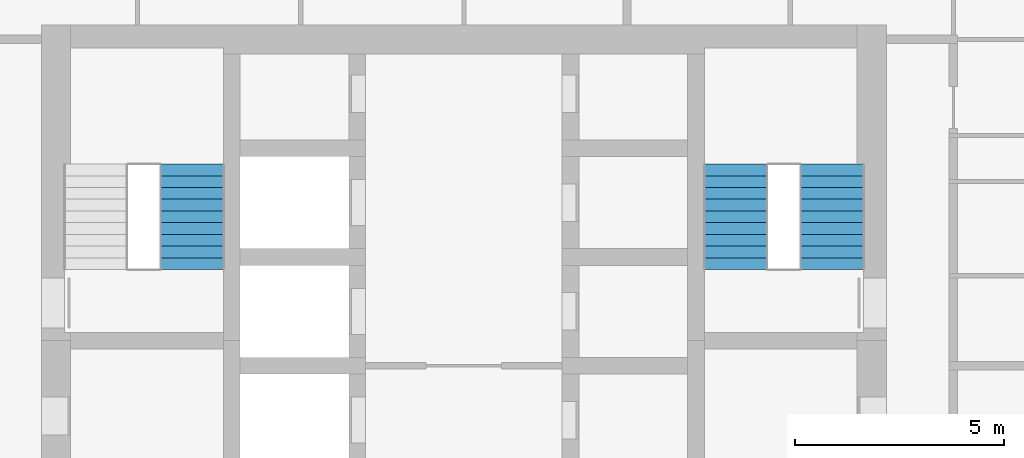
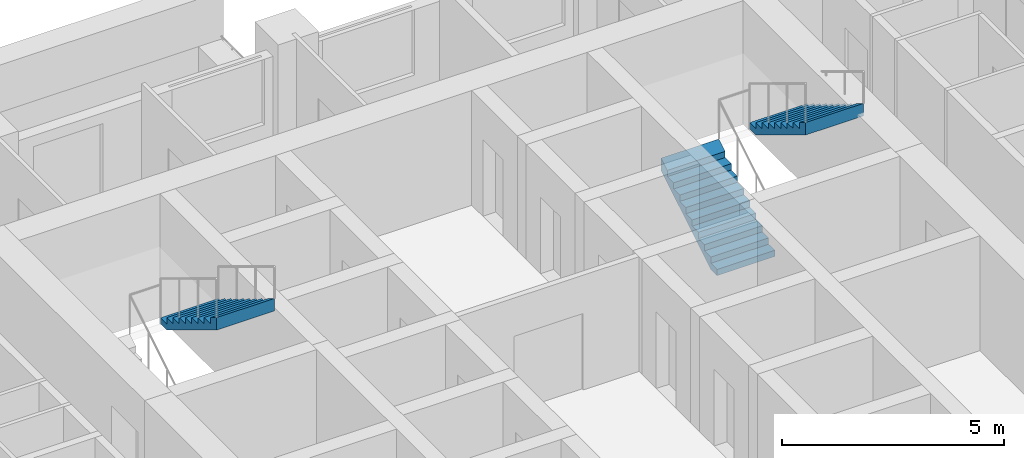
# One storey, part 15 of 17: 3 stair flights, 2 elements without a shape of their own.
"""IFC4 building model written with IfcOpenShell, lengths in metres."""

import ifcopenshell
import ifcopenshell.guid

model = None  # the IFC model being written
_history = None  # IfcOwnerHistory: only IFC2X3 demands one
_inside = {}  # id of a spatial element -> (the spatial element, [elements in it])
_under = {}  # id of a project, library or spatial element -> (it, [spatial elements below it])
_declared = {}  # id of a project -> (the project, [libraries it declares])
_typed = {}  # id of a type object -> (the type object, [elements of that type])
_made_of = {}  # id of a material, layer set ... -> (it, [elements and type objects made of it])


def new_model(schema):
    """Start an empty IFC model of exactly this schema.

    Asked for "IFC4X3", IfcOpenShell would pick the latest addendum, in which some entities
    have other attributes; the version numbers below select the first issue.
    IFC2X3 requires an IfcOwnerHistory on every rooted entity: one is made here for all.
    """
    global model, _history
    if schema == "IFC4X3":
        model = ifcopenshell.file(schema_version=(4, 3, 0, 0))
    else:
        model = ifcopenshell.file(schema=schema)
    _inside.clear()
    _under.clear()
    _declared.clear()
    _typed.clear()
    _made_of.clear()
    _history = None
    if model.schema == "IFC2X3":
        org = make("IfcOrganization", Name="unknown")
        user = make(
            "IfcPersonAndOrganization",
            ThePerson=make("IfcPerson", FamilyName="unknown"),
            TheOrganization=org,
        )
        app = make(
            "IfcApplication",
            ApplicationDeveloper=org,
            Version="unknown",
            ApplicationFullName="unknown",
            ApplicationIdentifier="unknown",
        )
        _history = make(
            "IfcOwnerHistory",
            OwningUser=user,
            OwningApplication=app,
            ChangeAction="ADDED",
            CreationDate=0,
        )
    return model


def make(cls, **values):
    """One entity of the class cls with the attributes given. An attribute that is None is left unset."""
    return model.create_entity(
        cls, **{name: value for name, value in values.items() if value is not None}
    )


def rooted(cls, **values):
    """An entity with a GlobalId (a new one), such as an element, a storey or a relation."""
    return make(cls, GlobalId=ifcopenshell.guid.new(), OwnerHistory=_history, **values)


def si_unit(unit_type, name, prefix=None):
    """IfcSIUnit, for example si_unit("LENGTHUNIT", "METRE", prefix="MILLI")."""
    return make("IfcSIUnit", UnitType=unit_type, Prefix=prefix, Name=name)


def assignment(units):
    """IfcUnitAssignment: the units of a project."""
    return None if units is None else make("IfcUnitAssignment", Units=units)


def point(xyz):
    """IfcCartesianPoint."""
    return None if xyz is None else make("IfcCartesianPoint", Coordinates=xyz)


def direction(xyz):
    """IfcDirection."""
    return None if xyz is None else make("IfcDirection", DirectionRatios=xyz)


def frame(location, z_axis=None, x_axis=None):
    """IfcAxis2Placement3D, a coordinate frame: its origin and axes. An axis left out is left unset."""
    return make(
        "IfcAxis2Placement3D",
        Location=point(location),
        Axis=direction(z_axis),
        RefDirection=direction(x_axis),
    )


def origin():
    """The frame at (0, 0, 0) with its axes left unset."""
    return frame((0.0, 0.0, 0.0))


def place(relative_to, where):
    """IfcLocalPlacement: puts the frame where relative to a parent placement (None: the world)."""
    return make(
        "IfcLocalPlacement", PlacementRelTo=relative_to, RelativePlacement=where
    )


def context(
    kind, dimensions, precision=None, world=None, true_north=None, identifier=None
):
    """IfcGeometricRepresentationContext, for example the 3D "Model" context."""
    return make(
        "IfcGeometricRepresentationContext",
        ContextIdentifier=identifier,
        ContextType=kind,
        CoordinateSpaceDimension=dimensions,
        Precision=precision,
        WorldCoordinateSystem=world,
        TrueNorth=true_north,
    )


def subcontext(parent, identifier, kind, view, scale=None):
    """IfcGeometricRepresentationSubContext, for example "Body" below "Model"."""
    return make(
        "IfcGeometricRepresentationSubContext",
        ContextIdentifier=identifier,
        ContextType=kind,
        ParentContext=parent,
        TargetScale=scale,
        TargetView=view,
    )


def project(units=None, contexts=None):
    """IfcProject with its units and contexts."""
    return rooted(
        "IfcProject",
        Name="project",
        RepresentationContexts=contexts,
        UnitsInContext=assignment(units),
    )


def spatial(cls, under=None, at=None, **own):
    """A site, building, storey or space (cls), placed at a placement, below another one or the project."""
    s = rooted(cls, ObjectPlacement=at, **own)
    if under is not None:
        _under.setdefault(under.id(), (under, []))[1].append(s)
    return s


def point_list(points):
    """IfcCartesianPointList2D or 3D."""
    cls = (
        "IfcCartesianPointList2D" if len(points[0]) == 2 else "IfcCartesianPointList3D"
    )
    return make(cls, CoordList=points)


def triangles(points, corners, closed=None, point_numbers=None):
    """IfcTriangulatedFaceSet: each triangle names its three corners, points numbered from 1."""
    return make(
        "IfcTriangulatedFaceSet",
        Coordinates=point_list(points),
        Closed=closed,
        CoordIndex=corners,
        PnIndex=point_numbers,
    )


def shape(context_of_items, identifier, shape_type, items):
    """IfcShapeRepresentation: the items that make up one representation, for example the "Body"."""
    return make(
        "IfcShapeRepresentation",
        ContextOfItems=context_of_items,
        RepresentationIdentifier=identifier,
        RepresentationType=shape_type,
        Items=items,
    )


def material(Name=None, Category=None):
    """IfcMaterial."""
    return make("IfcMaterial", Name=Name, Category=Category)


def made_of(thing, what):
    """Note that an element or type object is made of a material, layer set ...; save() writes the relation."""
    if what is not None:
        _made_of.setdefault(what.id(), (what, []))[1].append(thing)
    return thing


def type_object(cls, material=None, **own):
    """A type object (cls), such as IfcWallType, which elements share."""
    return made_of(rooted(cls, **own), material)


def element(
    cls,
    number,
    at=None,
    inside=None,
    cuts=None,
    type_object=None,
    material=None,
    context=None,
    identifier="Body",
    shape_type=None,
    held_by="IfcProductDefinitionShape",
    body=None,
    shapes=None,
    **own,
):
    """One element of the class cls, such as IfcWall. Its Tag is "e" and its number.

    at: its placement. inside: the storey or other place that contains it. cuts: it is an
    opening in that element (IfcRelVoidsElement). A single representation is given by context,
    identifier, shape_type and body (its items); several are given by shapes. held_by: the class
    of the entity that holds the representations. save() writes the other relations.
    """
    e = rooted(cls, Tag="e%d" % number, ObjectPlacement=at, **own)
    if body is not None:
        shapes = [shape(context, identifier, shape_type, body)]
    if shapes is not None:
        e.Representation = make(held_by, Representations=shapes)
    if inside is not None:
        _inside.setdefault(inside.id(), (inside, []))[1].append(e)
    if cuts is not None:
        rooted(
            "IfcRelVoidsElement", RelatingBuildingElement=cuts, RelatedOpeningElement=e
        )
    if type_object is not None:
        _typed.setdefault(type_object.id(), (type_object, []))[1].append(e)
    return made_of(e, material)


def aggregate(whole, parts):
    """IfcRelAggregates: a whole, such as a stair, and the parts it consists of."""
    return rooted("IfcRelAggregates", RelatingObject=whole, RelatedObjects=parts)


def save(model, path):
    """Write the relations noted so far, then the file.

    IfcRelAggregates (storeys below a building ...), IfcRelContainedInSpatialStructure (elements
    in a storey), IfcRelDefinesByType, IfcRelAssociatesMaterial and IfcRelDeclares: one each for
    every whole, place, type object, material and project.
    """
    for whole, parts in _under.values():
        aggregate(whole, parts)
    for where, things in _inside.values():
        rooted(
            "IfcRelContainedInSpatialStructure",
            RelatedElements=things,
            RelatingStructure=where,
        )
    for kind, things in _typed.values():
        rooted("IfcRelDefinesByType", RelatedObjects=things, RelatingType=kind)
    for what, things in _made_of.values():
        rooted("IfcRelAssociatesMaterial", RelatedObjects=things, RelatingMaterial=what)
    for by, libraries in _declared.values():
        rooted("IfcRelDeclares", RelatingContext=by, RelatedDefinitions=libraries)
    model.write(path)


model = new_model("IFC4")

# Units and contexts
model_context = context("Model", 3, precision=1e-05, world=origin(), true_north=direction((0.0, 1.0)))
body_context = subcontext(model_context, "Body", "Model", "MODEL_VIEW")
ifc_project = project(units=[si_unit("LENGTHUNIT", "METRE"), si_unit("AREAUNIT", "SQUARE_METRE"), si_unit("VOLUMEUNIT", "CUBIC_METRE"), si_unit("PLANEANGLEUNIT", "RADIAN"), si_unit("MASSUNIT", "GRAM", prefix="KILO")], contexts=[model_context])

# Site, building, storey
site_placement = place(None, origin())
site = spatial("IfcSite", under=ifc_project, at=site_placement, CompositionType="ELEMENT")
building_placement = place(site_placement, origin())
building = spatial("IfcBuilding", under=site, at=building_placement, Name="Ludao Terraces", CompositionType="ELEMENT")
storey_placement = place(building_placement, frame((0.0, 0.0, 19.5)))
storey = spatial("IfcBuildingStorey", under=building, at=storey_placement, Name="L04", CompositionType="ELEMENT", Elevation=19.5)

# Stair, stair flight
ifc_material = material(Name="Concrete C40", Category="concrete")
stair_type = type_object("IfcStairType", Name="INT Stair", PredefinedType="HALF_TURN_STAIR", material=ifc_material)
stair_1_placement = place(storey_placement, origin())
stair_1 = element("IfcStair", 1, at=stair_1_placement, inside=storey, type_object=stair_type, Name="EXIT STAIR 1", PredefinedType="HALF_TURN_STAIR")
stair_flight_type = type_object("IfcStairFlightType", Name="INT Stair flight", PredefinedType="STRAIGHT", material=ifc_material)
stair_flight_1_placement = place(storey_placement, frame((78.5, 81.52001953125, 1.699951171875), z_axis=(0.0, 0.0, 1.0), x_axis=(0.0, -1.0, 0.0)))
stair_flight_1 = element("IfcStairFlight", 2, at=stair_flight_1_placement, type_object=stair_flight_type, Name="ST1 flight 2", NumberOfRisers=10, NumberOfTreads=9, PredefinedType="STRAIGHT", RiserHeight=0.17, TreadLength=0.28, context=body_context, shape_type="Tessellation", body=[
    triangles([(0.0, -0.75, 0.0), (0.0, -0.5, 0.0), (0.0, -0.25, 0.0), (0.0, 0.0, 0.0), (0.0, 0.25, 0.0), (0.0, 0.5, 0.0), (0.0, 0.75, 0.0), (0.0, -0.75, 0.169921875), (0.0, -0.5, 0.169921875), (0.0, -0.25, 0.169921875), (0.0, 0.0, 0.169921875), (0.0, 0.25, 0.169921875), (0.0, 0.5, 0.169921875), (0.0, 0.75, 0.169921875), (0.280029296875, -0.75, 0.169921875), (0.280029296875, -0.5, 0.169921875), (0.280029296875, -0.25, 0.169921875), (0.280029296875, 0.0, 0.169921875), (0.280029296875, 0.25, 0.169921875), (0.280029296875, 0.5, 0.169921875), (0.280029296875, 0.75, 0.169921875), (0.280029296875, -0.75, 0.340087890625), (0.280029296875, -0.5, 0.340087890625), (0.280029296875, -0.25, 0.340087890625), (0.280029296875, 0.0, 0.340087890625), (0.280029296875, 0.25, 0.340087890625), (0.280029296875, 0.5, 0.340087890625), (0.280029296875, 0.75, 0.340087890625), (0.56005859375, -0.75, 0.340087890625), (0.56005859375, -0.5, 0.340087890625), (0.56005859375, -0.25, 0.340087890625), (0.56005859375, 0.0, 0.340087890625), (0.56005859375, 0.25, 0.340087890625), (0.56005859375, 0.5, 0.340087890625), (0.56005859375, 0.75, 0.340087890625), (0.56005859375, -0.75, 0.510009765625), (0.56005859375, -0.5, 0.510009765625), (0.56005859375, -0.25, 0.510009765625), (0.56005859375, 0.0, 0.510009765625), (0.56005859375, 0.25, 0.510009765625), (0.56005859375, 0.5, 0.510009765625), (0.56005859375, 0.75, 0.510009765625), (0.840087890625, -0.75, 0.510009765625), (0.840087890625, -0.5, 0.510009765625), (0.840087890625, -0.25, 0.510009765625), (0.840087890625, 0.0, 0.510009765625), (0.840087890625, 0.25, 0.510009765625), (0.840087890625, 0.5, 0.510009765625), (0.840087890625, 0.75, 0.510009765625), (0.840087890625, -0.75, 0.679931640625), (0.840087890625, -0.5, 0.679931640625), (0.840087890625, -0.25, 0.679931640625), (0.840087890625, 0.0, 0.679931640625), (0.840087890625, 0.25, 0.679931640625), (0.840087890625, 0.5, 0.679931640625), (0.840087890625, 0.75, 0.679931640625), (1.1201171875, -0.75, 0.679931640625), (1.1201171875, -0.5, 0.679931640625), (1.1201171875, -0.25, 0.679931640625), (1.1201171875, 0.0, 0.679931640625), (1.1201171875, 0.25, 0.679931640625), (1.1201171875, 0.5, 0.679931640625), (1.1201171875, 0.75, 0.679931640625), (1.1201171875, -0.75, 0.85009765625), (1.1201171875, -0.5, 0.85009765625), (1.1201171875, -0.25, 0.85009765625), (1.1201171875, 0.0, 0.85009765625), (1.1201171875, 0.25, 0.85009765625), (1.1201171875, 0.5, 0.85009765625), (1.1201171875, 0.75, 0.85009765625), (1.39990234375, -0.75, 0.85009765625), (1.39990234375, -0.5, 0.85009765625), (1.39990234375, -0.25, 0.85009765625), (1.39990234375, 0.0, 0.85009765625), (1.39990234375, 0.25, 0.85009765625), (1.39990234375, 0.5, 0.85009765625), (1.39990234375, 0.75, 0.85009765625), (1.39990234375, -0.75, 1.02001953125), (1.39990234375, -0.5, 1.02001953125), (1.39990234375, -0.25, 1.02001953125), (1.39990234375, 0.0, 1.02001953125), (1.39990234375, 0.25, 1.02001953125), (1.39990234375, 0.5, 1.02001953125), (1.39990234375, 0.75, 1.02001953125), (1.679931640625, -0.75, 1.02001953125), (1.679931640625, -0.5, 1.02001953125), (1.679931640625, -0.25, 1.02001953125), (1.679931640625, 0.0, 1.02001953125), (1.679931640625, 0.25, 1.02001953125), (1.679931640625, 0.5, 1.02001953125), (1.679931640625, 0.75, 1.02001953125), (1.679931640625, -0.75, 1.18994140625), (1.679931640625, -0.5, 1.18994140625), (1.679931640625, -0.25, 1.18994140625), (1.679931640625, 0.0, 1.18994140625), (1.679931640625, 0.25, 1.18994140625), (1.679931640625, 0.5, 1.18994140625), (1.679931640625, 0.75, 1.18994140625), (1.9599609375, -0.75, 1.18994140625), (1.9599609375, -0.5, 1.18994140625), (1.9599609375, -0.25, 1.18994140625), (1.9599609375, 0.0, 1.18994140625), (1.9599609375, 0.25, 1.18994140625), (1.9599609375, 0.5, 1.18994140625), (1.9599609375, 0.75, 1.18994140625), (1.9599609375, -0.75, 1.360107421875), (1.9599609375, -0.5, 1.360107421875), (1.9599609375, -0.25, 1.360107421875), (1.9599609375, 0.0, 1.360107421875), (1.9599609375, 0.25, 1.360107421875), (1.9599609375, 0.5, 1.360107421875), (1.9599609375, 0.75, 1.360107421875), (2.239990234375, -0.75, 1.360107421875), (2.239990234375, -0.5, 1.360107421875), (2.239990234375, -0.25, 1.360107421875), (2.239990234375, 0.0, 1.360107421875), (2.239990234375, 0.25, 1.360107421875), (2.239990234375, 0.5, 1.360107421875), (2.239990234375, 0.75, 1.360107421875), (2.239990234375, -0.75, 1.530029296875), (2.239990234375, -0.5, 1.530029296875), (2.239990234375, -0.25, 1.530029296875), (2.239990234375, 0.0, 1.530029296875), (2.239990234375, 0.25, 1.530029296875), (2.239990234375, 0.5, 1.530029296875), (2.239990234375, 0.75, 1.530029296875), (2.52001953125, -0.75, 1.699951171875), (2.52001953125, -0.5, 1.699951171875), (2.52001953125, -0.25, 1.699951171875), (2.52001953125, 0.0, 1.699951171875), (2.52001953125, 0.25, 1.699951171875), (2.52001953125, 0.5, 1.699951171875), (2.52001953125, 0.75, 1.699951171875), (2.52001953125, -0.75, 1.354736328125), (2.52001953125, -0.5, 1.354736328125), (2.52001953125, -0.25, 1.354736328125), (2.52001953125, 0.0, 1.354736328125), (2.52001953125, 0.25, 1.354736328125), (2.52001953125, 0.5, 1.354736328125), (2.52001953125, 0.75, 1.354736328125), (0.288818359375, -0.75, 0.0), (0.288818359375, -0.5, 0.0), (0.288818359375, -0.25, 0.0), (0.288818359375, 0.0, 0.0), (0.288818359375, 0.25, 0.0), (0.288818359375, 0.5, 0.0), (0.288818359375, 0.75, 0.0)], [[1, 141, 134], [7, 140, 147], [134, 127, 120], [140, 126, 133], [134, 120, 113], [140, 119, 126], [134, 113, 106], [140, 112, 119], [134, 106, 99], [140, 105, 112], [99, 92, 85], [105, 91, 98], [134, 99, 85], [140, 91, 105], [85, 78, 71], [91, 77, 84], [134, 85, 71], [140, 77, 91], [71, 64, 57], [77, 63, 70], [134, 71, 57], [140, 63, 77], [57, 50, 43], [63, 49, 56], [134, 57, 43], [140, 49, 63], [43, 36, 29], [49, 35, 42], [134, 43, 29], [140, 35, 49], [29, 22, 15], [35, 21, 28], [134, 29, 15], [140, 21, 35], [1, 134, 15], [7, 21, 140], [15, 8, 1], [21, 7, 14], [1, 9, 2], [1, 8, 9], [2, 10, 3], [2, 9, 10], [3, 11, 4], [3, 10, 11], [4, 12, 5], [4, 11, 12], [5, 13, 6], [5, 12, 13], [6, 14, 7], [6, 13, 14], [8, 16, 9], [8, 15, 16], [9, 17, 10], [9, 16, 17], [10, 18, 11], [10, 17, 18], [11, 19, 12], [11, 18, 19], [12, 20, 13], [12, 19, 20], [13, 21, 14], [13, 20, 21], [15, 23, 16], [15, 22, 23], [16, 24, 17], [16, 23, 24], [17, 25, 18], [17, 24, 25], [18, 26, 19], [18, 25, 26], [19, 27, 20], [19, 26, 27], [20, 28, 21], [20, 27, 28], [22, 30, 23], [22, 29, 30], [23, 31, 24], [23, 30, 31], [24, 32, 25], [24, 31, 32], [25, 33, 26], [25, 32, 33], [26, 34, 27], [26, 33, 34], [27, 35, 28], [27, 34, 35], [29, 37, 30], [29, 36, 37], [30, 38, 31], [30, 37, 38], [31, 39, 32], [31, 38, 39], [32, 40, 33], [32, 39, 40], [33, 41, 34], [33, 40, 41], [34, 42, 35], [34, 41, 42], [36, 44, 37], [36, 43, 44], [37, 45, 38], [37, 44, 45], [38, 46, 39], [38, 45, 46], [39, 47, 40], [39, 46, 47], [40, 48, 41], [40, 47, 48], [41, 49, 42], [41, 48, 49], [43, 51, 44], [43, 50, 51], [44, 52, 45], [44, 51, 52], [45, 53, 46], [45, 52, 53], [46, 54, 47], [46, 53, 54], [47, 55, 48], [47, 54, 55], [48, 56, 49], [48, 55, 56], [50, 58, 51], [50, 57, 58], [51, 59, 52], [51, 58, 59], [52, 60, 53], [52, 59, 60], [53, 61, 54], [53, 60, 61], [54, 62, 55], [54, 61, 62], [55, 63, 56], [55, 62, 63], [57, 65, 58], [57, 64, 65], [58, 66, 59], [58, 65, 66], [59, 67, 60], [59, 66, 67], [60, 68, 61], [60, 67, 68], [61, 69, 62], [61, 68, 69], [62, 70, 63], [62, 69, 70], [64, 72, 65], [64, 71, 72], [65, 73, 66], [65, 72, 73], [66, 74, 67], [66, 73, 74], [67, 75, 68], [67, 74, 75], [68, 76, 69], [68, 75, 76], [69, 77, 70], [69, 76, 77], [71, 79, 72], [71, 78, 79], [72, 80, 73], [72, 79, 80], [73, 81, 74], [73, 80, 81], [74, 82, 75], [74, 81, 82], [75, 83, 76], [75, 82, 83], [76, 84, 77], [76, 83, 84], [78, 86, 79], [78, 85, 86], [79, 87, 80], [79, 86, 87], [80, 88, 81], [80, 87, 88], [81, 89, 82], [81, 88, 89], [82, 90, 83], [82, 89, 90], [83, 91, 84], [83, 90, 91], [85, 93, 86], [85, 92, 93], [86, 94, 87], [86, 93, 94], [87, 95, 88], [87, 94, 95], [88, 96, 89], [88, 95, 96], [89, 97, 90], [89, 96, 97], [90, 98, 91], [90, 97, 98], [92, 100, 93], [92, 99, 100], [93, 101, 94], [93, 100, 101], [94, 102, 95], [94, 101, 102], [95, 103, 96], [95, 102, 103], [96, 104, 97], [96, 103, 104], [97, 105, 98], [97, 104, 105], [99, 107, 100], [99, 106, 107], [100, 108, 101], [100, 107, 108], [101, 109, 102], [101, 108, 109], [102, 110, 103], [102, 109, 110], [103, 111, 104], [103, 110, 111], [104, 112, 105], [104, 111, 112], [106, 114, 107], [106, 113, 114], [107, 115, 108], [107, 114, 115], [108, 116, 109], [108, 115, 116], [109, 117, 110], [109, 116, 117], [110, 118, 111], [110, 117, 118], [111, 119, 112], [111, 118, 119], [113, 121, 114], [113, 120, 121], [114, 122, 115], [114, 121, 122], [115, 123, 116], [115, 122, 123], [116, 124, 117], [116, 123, 124], [117, 125, 118], [117, 124, 125], [118, 126, 119], [118, 125, 126], [120, 128, 121], [120, 127, 128], [121, 129, 122], [121, 128, 129], [122, 130, 123], [122, 129, 130], [123, 131, 124], [123, 130, 131], [124, 132, 125], [124, 131, 132], [125, 133, 126], [125, 132, 133], [127, 135, 128], [127, 134, 135], [128, 136, 129], [128, 135, 136], [129, 137, 130], [129, 136, 137], [130, 138, 131], [130, 137, 138], [131, 139, 132], [131, 138, 139], [132, 140, 133], [132, 139, 140], [134, 142, 135], [134, 141, 142], [135, 143, 136], [135, 142, 143], [136, 144, 137], [136, 143, 144], [137, 145, 138], [137, 144, 145], [138, 146, 139], [138, 145, 146], [139, 147, 140], [139, 146, 147], [141, 2, 142], [141, 1, 2], [142, 3, 143], [142, 2, 3], [143, 4, 144], [143, 3, 4], [144, 5, 145], [144, 4, 5], [145, 6, 146], [145, 5, 6], [146, 7, 147], [146, 6, 7]], closed=True),
])
aggregate(stair_1, [stair_flight_1])

# Stair, stair flights
stair_2_placement = place(storey_placement, origin())
stair_2 = element("IfcStair", 3, at=stair_2_placement, inside=storey, type_object=stair_type, Name="EXIT STAIR 2", PredefinedType="HALF_TURN_STAIR")
stair_flight_2_placement = place(storey_placement, frame((91.5, 79.0, 0.0), z_axis=(0.0, 0.0, 1.0), x_axis=(0.0, 1.0, 0.0)))
stair_flight_2 = element("IfcStairFlight", 4, at=stair_flight_2_placement, type_object=stair_flight_type, Name="ST2 flight 1", NumberOfRisers=10, NumberOfTreads=9, PredefinedType="STRAIGHT", RiserHeight=0.17, TreadLength=0.28, context=body_context, shape_type="Tessellation", body=[
    triangles([(0.0, -0.75, 0.0), (0.0, -0.5, 0.0), (0.0, -0.25, 0.0), (0.0, 0.0, 0.0), (0.0, 0.25, 0.0), (0.0, 0.5, 0.0), (0.0, 0.75, 0.0), (0.0, -0.75, 0.169921875), (0.0, -0.5, 0.169921875), (0.0, -0.25, 0.169921875), (0.0, 0.0, 0.169921875), (0.0, 0.25, 0.169921875), (0.0, 0.5, 0.169921875), (0.0, 0.75, 0.169921875), (0.280029296875, -0.75, 0.169921875), (0.280029296875, -0.5, 0.169921875), (0.280029296875, -0.25, 0.169921875), (0.280029296875, 0.0, 0.169921875), (0.280029296875, 0.25, 0.169921875), (0.280029296875, 0.5, 0.169921875), (0.280029296875, 0.75, 0.169921875), (0.280029296875, -0.75, 0.340087890625), (0.280029296875, -0.5, 0.340087890625), (0.280029296875, -0.25, 0.340087890625), (0.280029296875, 0.0, 0.340087890625), (0.280029296875, 0.25, 0.340087890625), (0.280029296875, 0.5, 0.340087890625), (0.280029296875, 0.75, 0.340087890625), (0.56005859375, -0.75, 0.340087890625), (0.56005859375, -0.5, 0.340087890625), (0.56005859375, -0.25, 0.340087890625), (0.56005859375, 0.0, 0.340087890625), (0.56005859375, 0.25, 0.340087890625), (0.56005859375, 0.5, 0.340087890625), (0.56005859375, 0.75, 0.340087890625), (0.56005859375, -0.75, 0.510009765625), (0.56005859375, -0.5, 0.510009765625), (0.56005859375, -0.25, 0.510009765625), (0.56005859375, 0.0, 0.510009765625), (0.56005859375, 0.25, 0.510009765625), (0.56005859375, 0.5, 0.510009765625), (0.56005859375, 0.75, 0.510009765625), (0.840087890625, -0.75, 0.510009765625), (0.840087890625, -0.5, 0.510009765625), (0.840087890625, -0.25, 0.510009765625), (0.840087890625, 0.0, 0.510009765625), (0.840087890625, 0.25, 0.510009765625), (0.840087890625, 0.5, 0.510009765625), (0.840087890625, 0.75, 0.510009765625), (0.840087890625, -0.75, 0.679931640625), (0.840087890625, -0.5, 0.679931640625), (0.840087890625, -0.25, 0.679931640625), (0.840087890625, 0.0, 0.679931640625), (0.840087890625, 0.25, 0.679931640625), (0.840087890625, 0.5, 0.679931640625), (0.840087890625, 0.75, 0.679931640625), (1.1201171875, -0.75, 0.679931640625), (1.1201171875, -0.5, 0.679931640625), (1.1201171875, -0.25, 0.679931640625), (1.1201171875, 0.0, 0.679931640625), (1.1201171875, 0.25, 0.679931640625), (1.1201171875, 0.5, 0.679931640625), (1.1201171875, 0.75, 0.679931640625), (1.1201171875, -0.75, 0.85009765625), (1.1201171875, -0.5, 0.85009765625), (1.1201171875, -0.25, 0.85009765625), (1.1201171875, 0.0, 0.85009765625), (1.1201171875, 0.25, 0.85009765625), (1.1201171875, 0.5, 0.85009765625), (1.1201171875, 0.75, 0.85009765625), (1.39990234375, -0.75, 0.85009765625), (1.39990234375, -0.5, 0.85009765625), (1.39990234375, -0.25, 0.85009765625), (1.39990234375, 0.0, 0.85009765625), (1.39990234375, 0.25, 0.85009765625), (1.39990234375, 0.5, 0.85009765625), (1.39990234375, 0.75, 0.85009765625), (1.39990234375, -0.75, 1.02001953125), (1.39990234375, -0.5, 1.02001953125), (1.39990234375, -0.25, 1.02001953125), (1.39990234375, 0.0, 1.02001953125), (1.39990234375, 0.25, 1.02001953125), (1.39990234375, 0.5, 1.02001953125), (1.39990234375, 0.75, 1.02001953125), (1.679931640625, -0.75, 1.02001953125), (1.679931640625, -0.5, 1.02001953125), (1.679931640625, -0.25, 1.02001953125), (1.679931640625, 0.0, 1.02001953125), (1.679931640625, 0.25, 1.02001953125), (1.679931640625, 0.5, 1.02001953125), (1.679931640625, 0.75, 1.02001953125), (1.679931640625, -0.75, 1.18994140625), (1.679931640625, -0.5, 1.18994140625), (1.679931640625, -0.25, 1.18994140625), (1.679931640625, 0.0, 1.18994140625), (1.679931640625, 0.25, 1.18994140625), (1.679931640625, 0.5, 1.18994140625), (1.679931640625, 0.75, 1.18994140625), (1.9599609375, -0.75, 1.18994140625), (1.9599609375, -0.5, 1.18994140625), (1.9599609375, -0.25, 1.18994140625), (1.9599609375, 0.0, 1.18994140625), (1.9599609375, 0.25, 1.18994140625), (1.9599609375, 0.5, 1.18994140625), (1.9599609375, 0.75, 1.18994140625), (1.9599609375, -0.75, 1.360107421875), (1.9599609375, -0.5, 1.360107421875), (1.9599609375, -0.25, 1.360107421875), (1.9599609375, 0.0, 1.360107421875), (1.9599609375, 0.25, 1.360107421875), (1.9599609375, 0.5, 1.360107421875), (1.9599609375, 0.75, 1.360107421875), (2.239990234375, -0.75, 1.360107421875), (2.239990234375, -0.5, 1.360107421875), (2.239990234375, -0.25, 1.360107421875), (2.239990234375, 0.0, 1.360107421875), (2.239990234375, 0.25, 1.360107421875), (2.239990234375, 0.5, 1.360107421875), (2.239990234375, 0.75, 1.360107421875), (2.239990234375, -0.75, 1.530029296875), (2.239990234375, -0.5, 1.530029296875), (2.239990234375, -0.25, 1.530029296875), (2.239990234375, 0.0, 1.530029296875), (2.239990234375, 0.25, 1.530029296875), (2.239990234375, 0.5, 1.530029296875), (2.239990234375, 0.75, 1.530029296875), (2.52001953125, -0.75, 1.699951171875), (2.52001953125, -0.5, 1.699951171875), (2.52001953125, -0.25, 1.699951171875), (2.52001953125, 0.0, 1.699951171875), (2.52001953125, 0.25, 1.699951171875), (2.52001953125, 0.5, 1.699951171875), (2.52001953125, 0.75, 1.699951171875), (2.52001953125, -0.75, 1.354736328125), (2.52001953125, -0.5, 1.354736328125), (2.52001953125, -0.25, 1.354736328125), (2.52001953125, 0.0, 1.354736328125), (2.52001953125, 0.25, 1.354736328125), (2.52001953125, 0.5, 1.354736328125), (2.52001953125, 0.75, 1.354736328125), (0.288818359375, -0.75, 0.0), (0.288818359375, -0.5, 0.0), (0.288818359375, -0.25, 0.0), (0.288818359375, 0.0, 0.0), (0.288818359375, 0.25, 0.0), (0.288818359375, 0.5, 0.0), (0.288818359375, 0.75, 0.0)], [[1, 141, 134], [7, 140, 147], [134, 127, 120], [140, 126, 133], [134, 120, 113], [140, 119, 126], [134, 113, 106], [140, 112, 119], [134, 106, 99], [140, 105, 112], [99, 92, 85], [105, 91, 98], [134, 99, 85], [140, 91, 105], [85, 78, 71], [91, 77, 84], [134, 85, 71], [140, 77, 91], [71, 64, 57], [77, 63, 70], [134, 71, 57], [140, 63, 77], [57, 50, 43], [63, 49, 56], [134, 57, 43], [140, 49, 63], [43, 36, 29], [49, 35, 42], [134, 43, 29], [140, 35, 49], [29, 22, 15], [35, 21, 28], [134, 29, 15], [140, 21, 35], [1, 134, 15], [7, 21, 140], [15, 8, 1], [21, 7, 14], [1, 9, 2], [1, 8, 9], [2, 10, 3], [2, 9, 10], [3, 11, 4], [3, 10, 11], [4, 12, 5], [4, 11, 12], [5, 13, 6], [5, 12, 13], [6, 14, 7], [6, 13, 14], [8, 16, 9], [8, 15, 16], [9, 17, 10], [9, 16, 17], [10, 18, 11], [10, 17, 18], [11, 19, 12], [11, 18, 19], [12, 20, 13], [12, 19, 20], [13, 21, 14], [13, 20, 21], [15, 23, 16], [15, 22, 23], [16, 24, 17], [16, 23, 24], [17, 25, 18], [17, 24, 25], [18, 26, 19], [18, 25, 26], [19, 27, 20], [19, 26, 27], [20, 28, 21], [20, 27, 28], [22, 30, 23], [22, 29, 30], [23, 31, 24], [23, 30, 31], [24, 32, 25], [24, 31, 32], [25, 33, 26], [25, 32, 33], [26, 34, 27], [26, 33, 34], [27, 35, 28], [27, 34, 35], [29, 37, 30], [29, 36, 37], [30, 38, 31], [30, 37, 38], [31, 39, 32], [31, 38, 39], [32, 40, 33], [32, 39, 40], [33, 41, 34], [33, 40, 41], [34, 42, 35], [34, 41, 42], [36, 44, 37], [36, 43, 44], [37, 45, 38], [37, 44, 45], [38, 46, 39], [38, 45, 46], [39, 47, 40], [39, 46, 47], [40, 48, 41], [40, 47, 48], [41, 49, 42], [41, 48, 49], [43, 51, 44], [43, 50, 51], [44, 52, 45], [44, 51, 52], [45, 53, 46], [45, 52, 53], [46, 54, 47], [46, 53, 54], [47, 55, 48], [47, 54, 55], [48, 56, 49], [48, 55, 56], [50, 58, 51], [50, 57, 58], [51, 59, 52], [51, 58, 59], [52, 60, 53], [52, 59, 60], [53, 61, 54], [53, 60, 61], [54, 62, 55], [54, 61, 62], [55, 63, 56], [55, 62, 63], [57, 65, 58], [57, 64, 65], [58, 66, 59], [58, 65, 66], [59, 67, 60], [59, 66, 67], [60, 68, 61], [60, 67, 68], [61, 69, 62], [61, 68, 69], [62, 70, 63], [62, 69, 70], [64, 72, 65], [64, 71, 72], [65, 73, 66], [65, 72, 73], [66, 74, 67], [66, 73, 74], [67, 75, 68], [67, 74, 75], [68, 76, 69], [68, 75, 76], [69, 77, 70], [69, 76, 77], [71, 79, 72], [71, 78, 79], [72, 80, 73], [72, 79, 80], [73, 81, 74], [73, 80, 81], [74, 82, 75], [74, 81, 82], [75, 83, 76], [75, 82, 83], [76, 84, 77], [76, 83, 84], [78, 86, 79], [78, 85, 86], [79, 87, 80], [79, 86, 87], [80, 88, 81], [80, 87, 88], [81, 89, 82], [81, 88, 89], [82, 90, 83], [82, 89, 90], [83, 91, 84], [83, 90, 91], [85, 93, 86], [85, 92, 93], [86, 94, 87], [86, 93, 94], [87, 95, 88], [87, 94, 95], [88, 96, 89], [88, 95, 96], [89, 97, 90], [89, 96, 97], [90, 98, 91], [90, 97, 98], [92, 100, 93], [92, 99, 100], [93, 101, 94], [93, 100, 101], [94, 102, 95], [94, 101, 102], [95, 103, 96], [95, 102, 103], [96, 104, 97], [96, 103, 104], [97, 105, 98], [97, 104, 105], [99, 107, 100], [99, 106, 107], [100, 108, 101], [100, 107, 108], [101, 109, 102], [101, 108, 109], [102, 110, 103], [102, 109, 110], [103, 111, 104], [103, 110, 111], [104, 112, 105], [104, 111, 112], [106, 114, 107], [106, 113, 114], [107, 115, 108], [107, 114, 115], [108, 116, 109], [108, 115, 116], [109, 117, 110], [109, 116, 117], [110, 118, 111], [110, 117, 118], [111, 119, 112], [111, 118, 119], [113, 121, 114], [113, 120, 121], [114, 122, 115], [114, 121, 122], [115, 123, 116], [115, 122, 123], [116, 124, 117], [116, 123, 124], [117, 125, 118], [117, 124, 125], [118, 126, 119], [118, 125, 126], [120, 128, 121], [120, 127, 128], [121, 129, 122], [121, 128, 129], [122, 130, 123], [122, 129, 130], [123, 131, 124], [123, 130, 131], [124, 132, 125], [124, 131, 132], [125, 133, 126], [125, 132, 133], [127, 135, 128], [127, 134, 135], [128, 136, 129], [128, 135, 136], [129, 137, 130], [129, 136, 137], [130, 138, 131], [130, 137, 138], [131, 139, 132], [131, 138, 139], [132, 140, 133], [132, 139, 140], [134, 142, 135], [134, 141, 142], [135, 143, 136], [135, 142, 143], [136, 144, 137], [136, 143, 144], [137, 145, 138], [137, 144, 145], [138, 146, 139], [138, 145, 146], [139, 147, 140], [139, 146, 147], [141, 2, 142], [141, 1, 2], [142, 3, 143], [142, 2, 3], [143, 4, 144], [143, 3, 4], [144, 5, 145], [144, 4, 5], [145, 6, 146], [145, 5, 6], [146, 7, 147], [146, 6, 7]], closed=True),
])
stair_flight_3_placement = place(storey_placement, frame((93.800048828125, 81.52001953125, 1.699951171875), z_axis=(0.0, 0.0, 1.0), x_axis=(0.0, -1.0, 0.0)))
stair_flight_3 = element("IfcStairFlight", 5, at=stair_flight_3_placement, type_object=stair_flight_type, Name="ST2 flight 2", NumberOfRisers=10, NumberOfTreads=9, PredefinedType="STRAIGHT", RiserHeight=0.17, TreadLength=0.28, context=body_context, shape_type="Tessellation", body=[
    triangles([(0.0, -0.75, 0.0), (0.0, -0.5, 0.0), (0.0, -0.25, 0.0), (0.0, 0.0, 0.0), (0.0, 0.25, 0.0), (0.0, 0.5, 0.0), (0.0, 0.75, 0.0), (0.0, -0.75, 0.169921875), (0.0, -0.5, 0.169921875), (0.0, -0.25, 0.169921875), (0.0, 0.0, 0.169921875), (0.0, 0.25, 0.169921875), (0.0, 0.5, 0.169921875), (0.0, 0.75, 0.169921875), (0.280029296875, -0.75, 0.169921875), (0.280029296875, -0.5, 0.169921875), (0.280029296875, -0.25, 0.169921875), (0.280029296875, 0.0, 0.169921875), (0.280029296875, 0.25, 0.169921875), (0.280029296875, 0.5, 0.169921875), (0.280029296875, 0.75, 0.169921875), (0.280029296875, -0.75, 0.340087890625), (0.280029296875, -0.5, 0.340087890625), (0.280029296875, -0.25, 0.340087890625), (0.280029296875, 0.0, 0.340087890625), (0.280029296875, 0.25, 0.340087890625), (0.280029296875, 0.5, 0.340087890625), (0.280029296875, 0.75, 0.340087890625), (0.56005859375, -0.75, 0.340087890625), (0.56005859375, -0.5, 0.340087890625), (0.56005859375, -0.25, 0.340087890625), (0.56005859375, 0.0, 0.340087890625), (0.56005859375, 0.25, 0.340087890625), (0.56005859375, 0.5, 0.340087890625), (0.56005859375, 0.75, 0.340087890625), (0.56005859375, -0.75, 0.510009765625), (0.56005859375, -0.5, 0.510009765625), (0.56005859375, -0.25, 0.510009765625), (0.56005859375, 0.0, 0.510009765625), (0.56005859375, 0.25, 0.510009765625), (0.56005859375, 0.5, 0.510009765625), (0.56005859375, 0.75, 0.510009765625), (0.840087890625, -0.75, 0.510009765625), (0.840087890625, -0.5, 0.510009765625), (0.840087890625, -0.25, 0.510009765625), (0.840087890625, 0.0, 0.510009765625), (0.840087890625, 0.25, 0.510009765625), (0.840087890625, 0.5, 0.510009765625), (0.840087890625, 0.75, 0.510009765625), (0.840087890625, -0.75, 0.679931640625), (0.840087890625, -0.5, 0.679931640625), (0.840087890625, -0.25, 0.679931640625), (0.840087890625, 0.0, 0.679931640625), (0.840087890625, 0.25, 0.679931640625), (0.840087890625, 0.5, 0.679931640625), (0.840087890625, 0.75, 0.679931640625), (1.1201171875, -0.75, 0.679931640625), (1.1201171875, -0.5, 0.679931640625), (1.1201171875, -0.25, 0.679931640625), (1.1201171875, 0.0, 0.679931640625), (1.1201171875, 0.25, 0.679931640625), (1.1201171875, 0.5, 0.679931640625), (1.1201171875, 0.75, 0.679931640625), (1.1201171875, -0.75, 0.85009765625), (1.1201171875, -0.5, 0.85009765625), (1.1201171875, -0.25, 0.85009765625), (1.1201171875, 0.0, 0.85009765625), (1.1201171875, 0.25, 0.85009765625), (1.1201171875, 0.5, 0.85009765625), (1.1201171875, 0.75, 0.85009765625), (1.39990234375, -0.75, 0.85009765625), (1.39990234375, -0.5, 0.85009765625), (1.39990234375, -0.25, 0.85009765625), (1.39990234375, 0.0, 0.85009765625), (1.39990234375, 0.25, 0.85009765625), (1.39990234375, 0.5, 0.85009765625), (1.39990234375, 0.75, 0.85009765625), (1.39990234375, -0.75, 1.02001953125), (1.39990234375, -0.5, 1.02001953125), (1.39990234375, -0.25, 1.02001953125), (1.39990234375, 0.0, 1.02001953125), (1.39990234375, 0.25, 1.02001953125), (1.39990234375, 0.5, 1.02001953125), (1.39990234375, 0.75, 1.02001953125), (1.679931640625, -0.75, 1.02001953125), (1.679931640625, -0.5, 1.02001953125), (1.679931640625, -0.25, 1.02001953125), (1.679931640625, 0.0, 1.02001953125), (1.679931640625, 0.25, 1.02001953125), (1.679931640625, 0.5, 1.02001953125), (1.679931640625, 0.75, 1.02001953125), (1.679931640625, -0.75, 1.18994140625), (1.679931640625, -0.5, 1.18994140625), (1.679931640625, -0.25, 1.18994140625), (1.679931640625, 0.0, 1.18994140625), (1.679931640625, 0.25, 1.18994140625), (1.679931640625, 0.5, 1.18994140625), (1.679931640625, 0.75, 1.18994140625), (1.9599609375, -0.75, 1.18994140625), (1.9599609375, -0.5, 1.18994140625), (1.9599609375, -0.25, 1.18994140625), (1.9599609375, 0.0, 1.18994140625), (1.9599609375, 0.25, 1.18994140625), (1.9599609375, 0.5, 1.18994140625), (1.9599609375, 0.75, 1.18994140625), (1.9599609375, -0.75, 1.360107421875), (1.9599609375, -0.5, 1.360107421875), (1.9599609375, -0.25, 1.360107421875), (1.9599609375, 0.0, 1.360107421875), (1.9599609375, 0.25, 1.360107421875), (1.9599609375, 0.5, 1.360107421875), (1.9599609375, 0.75, 1.360107421875), (2.239990234375, -0.75, 1.360107421875), (2.239990234375, -0.5, 1.360107421875), (2.239990234375, -0.25, 1.360107421875), (2.239990234375, 0.0, 1.360107421875), (2.239990234375, 0.25, 1.360107421875), (2.239990234375, 0.5, 1.360107421875), (2.239990234375, 0.75, 1.360107421875), (2.239990234375, -0.75, 1.530029296875), (2.239990234375, -0.5, 1.530029296875), (2.239990234375, -0.25, 1.530029296875), (2.239990234375, 0.0, 1.530029296875), (2.239990234375, 0.25, 1.530029296875), (2.239990234375, 0.5, 1.530029296875), (2.239990234375, 0.75, 1.530029296875), (2.52001953125, -0.75, 1.699951171875), (2.52001953125, -0.5, 1.699951171875), (2.52001953125, -0.25, 1.699951171875), (2.52001953125, 0.0, 1.699951171875), (2.52001953125, 0.25, 1.699951171875), (2.52001953125, 0.5, 1.699951171875), (2.52001953125, 0.75, 1.699951171875), (2.52001953125, -0.75, 1.354736328125), (2.52001953125, -0.5, 1.354736328125), (2.52001953125, -0.25, 1.354736328125), (2.52001953125, 0.0, 1.354736328125), (2.52001953125, 0.25, 1.354736328125), (2.52001953125, 0.5, 1.354736328125), (2.52001953125, 0.75, 1.354736328125), (0.288818359375, -0.75, 0.0), (0.288818359375, -0.5, 0.0), (0.288818359375, -0.25, 0.0), (0.288818359375, 0.0, 0.0), (0.288818359375, 0.25, 0.0), (0.288818359375, 0.5, 0.0), (0.288818359375, 0.75, 0.0)], [[1, 141, 134], [7, 140, 147], [134, 127, 120], [140, 126, 133], [134, 120, 113], [140, 119, 126], [134, 113, 106], [140, 112, 119], [134, 106, 99], [140, 105, 112], [99, 92, 85], [105, 91, 98], [134, 99, 85], [140, 91, 105], [85, 78, 71], [91, 77, 84], [134, 85, 71], [140, 77, 91], [71, 64, 57], [77, 63, 70], [134, 71, 57], [140, 63, 77], [57, 50, 43], [63, 49, 56], [134, 57, 43], [140, 49, 63], [43, 36, 29], [49, 35, 42], [134, 43, 29], [140, 35, 49], [29, 22, 15], [35, 21, 28], [134, 29, 15], [140, 21, 35], [1, 134, 15], [7, 21, 140], [15, 8, 1], [21, 7, 14], [1, 9, 2], [1, 8, 9], [2, 10, 3], [2, 9, 10], [3, 11, 4], [3, 10, 11], [4, 12, 5], [4, 11, 12], [5, 13, 6], [5, 12, 13], [6, 14, 7], [6, 13, 14], [8, 16, 9], [8, 15, 16], [9, 17, 10], [9, 16, 17], [10, 18, 11], [10, 17, 18], [11, 19, 12], [11, 18, 19], [12, 20, 13], [12, 19, 20], [13, 21, 14], [13, 20, 21], [15, 23, 16], [15, 22, 23], [16, 24, 17], [16, 23, 24], [17, 25, 18], [17, 24, 25], [18, 26, 19], [18, 25, 26], [19, 27, 20], [19, 26, 27], [20, 28, 21], [20, 27, 28], [22, 30, 23], [22, 29, 30], [23, 31, 24], [23, 30, 31], [24, 32, 25], [24, 31, 32], [25, 33, 26], [25, 32, 33], [26, 34, 27], [26, 33, 34], [27, 35, 28], [27, 34, 35], [29, 37, 30], [29, 36, 37], [30, 38, 31], [30, 37, 38], [31, 39, 32], [31, 38, 39], [32, 40, 33], [32, 39, 40], [33, 41, 34], [33, 40, 41], [34, 42, 35], [34, 41, 42], [36, 44, 37], [36, 43, 44], [37, 45, 38], [37, 44, 45], [38, 46, 39], [38, 45, 46], [39, 47, 40], [39, 46, 47], [40, 48, 41], [40, 47, 48], [41, 49, 42], [41, 48, 49], [43, 51, 44], [43, 50, 51], [44, 52, 45], [44, 51, 52], [45, 53, 46], [45, 52, 53], [46, 54, 47], [46, 53, 54], [47, 55, 48], [47, 54, 55], [48, 56, 49], [48, 55, 56], [50, 58, 51], [50, 57, 58], [51, 59, 52], [51, 58, 59], [52, 60, 53], [52, 59, 60], [53, 61, 54], [53, 60, 61], [54, 62, 55], [54, 61, 62], [55, 63, 56], [55, 62, 63], [57, 65, 58], [57, 64, 65], [58, 66, 59], [58, 65, 66], [59, 67, 60], [59, 66, 67], [60, 68, 61], [60, 67, 68], [61, 69, 62], [61, 68, 69], [62, 70, 63], [62, 69, 70], [64, 72, 65], [64, 71, 72], [65, 73, 66], [65, 72, 73], [66, 74, 67], [66, 73, 74], [67, 75, 68], [67, 74, 75], [68, 76, 69], [68, 75, 76], [69, 77, 70], [69, 76, 77], [71, 79, 72], [71, 78, 79], [72, 80, 73], [72, 79, 80], [73, 81, 74], [73, 80, 81], [74, 82, 75], [74, 81, 82], [75, 83, 76], [75, 82, 83], [76, 84, 77], [76, 83, 84], [78, 86, 79], [78, 85, 86], [79, 87, 80], [79, 86, 87], [80, 88, 81], [80, 87, 88], [81, 89, 82], [81, 88, 89], [82, 90, 83], [82, 89, 90], [83, 91, 84], [83, 90, 91], [85, 93, 86], [85, 92, 93], [86, 94, 87], [86, 93, 94], [87, 95, 88], [87, 94, 95], [88, 96, 89], [88, 95, 96], [89, 97, 90], [89, 96, 97], [90, 98, 91], [90, 97, 98], [92, 100, 93], [92, 99, 100], [93, 101, 94], [93, 100, 101], [94, 102, 95], [94, 101, 102], [95, 103, 96], [95, 102, 103], [96, 104, 97], [96, 103, 104], [97, 105, 98], [97, 104, 105], [99, 107, 100], [99, 106, 107], [100, 108, 101], [100, 107, 108], [101, 109, 102], [101, 108, 109], [102, 110, 103], [102, 109, 110], [103, 111, 104], [103, 110, 111], [104, 112, 105], [104, 111, 112], [106, 114, 107], [106, 113, 114], [107, 115, 108], [107, 114, 115], [108, 116, 109], [108, 115, 116], [109, 117, 110], [109, 116, 117], [110, 118, 111], [110, 117, 118], [111, 119, 112], [111, 118, 119], [113, 121, 114], [113, 120, 121], [114, 122, 115], [114, 121, 122], [115, 123, 116], [115, 122, 123], [116, 124, 117], [116, 123, 124], [117, 125, 118], [117, 124, 125], [118, 126, 119], [118, 125, 126], [120, 128, 121], [120, 127, 128], [121, 129, 122], [121, 128, 129], [122, 130, 123], [122, 129, 130], [123, 131, 124], [123, 130, 131], [124, 132, 125], [124, 131, 132], [125, 133, 126], [125, 132, 133], [127, 135, 128], [127, 134, 135], [128, 136, 129], [128, 135, 136], [129, 137, 130], [129, 136, 137], [130, 138, 131], [130, 137, 138], [131, 139, 132], [131, 138, 139], [132, 140, 133], [132, 139, 140], [134, 142, 135], [134, 141, 142], [135, 143, 136], [135, 142, 143], [136, 144, 137], [136, 143, 144], [137, 145, 138], [137, 144, 145], [138, 146, 139], [138, 145, 146], [139, 147, 140], [139, 146, 147], [141, 2, 142], [141, 1, 2], [142, 3, 143], [142, 2, 3], [143, 4, 144], [143, 3, 4], [144, 5, 145], [144, 4, 5], [145, 6, 146], [145, 5, 6], [146, 7, 147], [146, 6, 7]], closed=True),
])
aggregate(stair_2, [stair_flight_2, stair_flight_3])

save(model, "model.ifc")
